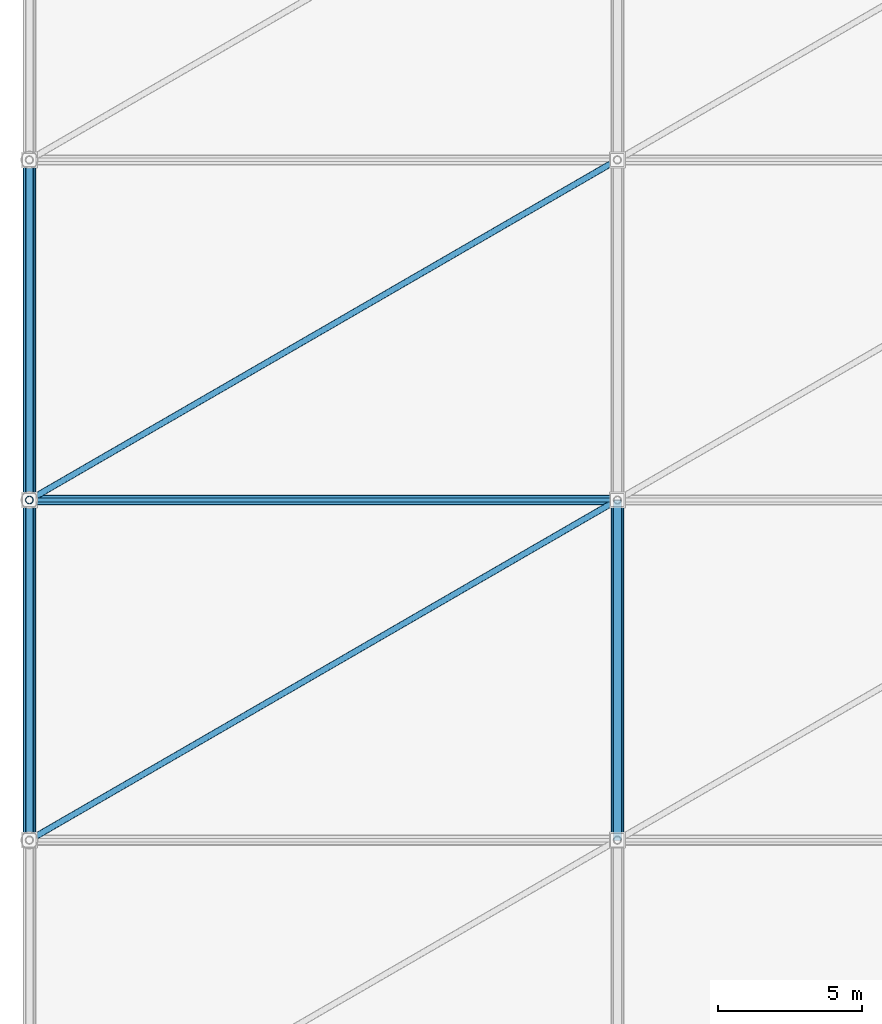
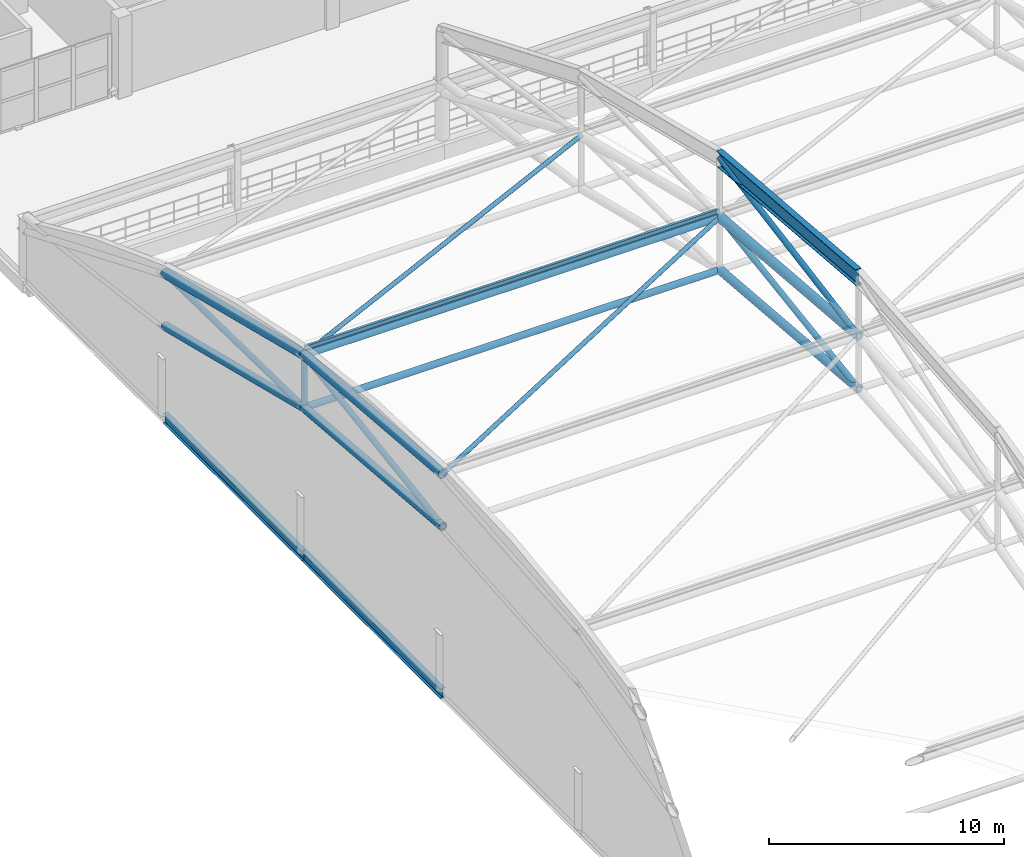
# One storey, part 25 of 135: 16 members, 3 beams.
"""IFC4 building model written with IfcOpenShell, lengths in metres."""

from ifc_helpers import new_model, si_unit, direction, frame, origin, origin_2d, place, context, subcontext, project, spatial, hollow_circle, i_section, extrude, material, material_profile, profile_set, type_object, element, save


model = new_model("IFC4")

# Units and contexts
model_context = context("Model", 3, precision=1e-05, world=origin(), true_north=direction((0.0, 1.0)))
body_context = subcontext(model_context, "Body", "Model", "MODEL_VIEW")
ifc_project = project(units=[si_unit("LENGTHUNIT", "METRE"), si_unit("AREAUNIT", "SQUARE_METRE"), si_unit("VOLUMEUNIT", "CUBIC_METRE"), si_unit("PLANEANGLEUNIT", "RADIAN"), si_unit("MASSUNIT", "GRAM", prefix="KILO")], contexts=[model_context])

# Site, building, storey
site_placement = place(None, origin())
site = spatial("IfcSite", under=ifc_project, at=site_placement, CompositionType="ELEMENT")
building_placement = place(site_placement, origin())
building = spatial("IfcBuilding", under=site, at=building_placement, Name="Brelvane Convention Centre", CompositionType="ELEMENT")
storey_placement = place(building_placement, frame((0.0, 0.0, 15.0)))
storey = spatial("IfcBuildingStorey", under=building, at=storey_placement, Name="L03", CompositionType="ELEMENT", Elevation=15.0)

# Beam
ifc_material_1 = material(Name="Steel E450 (450 MPa)", Category="steel")
ifc_material_profile_1 = material_profile(ifc_material_1, i_section(OverallWidth=0.300048828125, OverallDepth=0.800048828125, WebThickness=0.015380859375, FlangeThickness=0.030029296875, FilletRadius=0.027099609375, at=origin_2d()), Name="NPB 800x300")
ifc_profile_set_1 = profile_set([ifc_material_profile_1], Name="Steel E450 (450 MPa)")
beam_type_1 = type_object("IfcBeamType", Name="Steel Beam B-ST2 (NPB 800x300)", PredefinedType="BEAM", material=ifc_profile_set_1)
beam_placement = place(storey_placement, frame((20.39990234375, 64.199951171875, 14.199951171875), z_axis=(0.0, 0.996584470208, -0.082579620615), x_axis=(-1.0, 0.0, 0.0)))
element("IfcBeam", 1, at=beam_placement, inside=storey, type_object=beam_type_1, Name="EXO_EXH Exoskeletal Arch Girder 2.4", PredefinedType="BEAM", context=body_context, shape_type="SweptSolid", body=[
    extrude(i_section(OverallWidth=0.300048828125, OverallDepth=0.800048828125, WebThickness=0.015380859375, FlangeThickness=0.030029296875, FilletRadius=0.027099609375, at=origin_2d()), origin(), (0.0, 0.0, 1.0), 11.840576171875),
])

# Members
ifc_material_2 = material(Name="Steel E350 (350 MPa)", Category="steel")
ifc_material_profile_2 = material_profile(ifc_material_2, hollow_circle(Radius=0.136474609375, WallThickness=0.012451171875, at=origin_2d()), Name="CHS 273.0x12.5")
ifc_profile_set_2 = profile_set([ifc_material_profile_2], Name="Steel E350 (350 MPa)")
member_type_1 = type_object("IfcMemberType", Name="Steel Brace SF-DG1 (CHS 273.0x12.5)", PredefinedType="BRACE", material=ifc_profile_set_2)
member_1_placement = place(storey_placement, frame((0.0, 64.199951171875, 8.39990234375), z_axis=(0.0, 0.989032056502, 0.147701019672), x_axis=(-1.0, 0.0, 0.0)))
element("IfcMember", 2, at=member_1_placement, inside=storey, type_object=member_type_1, Name="SF_EXH Space-Frame Web Diagonal D1.4", PredefinedType="BRACE", context=body_context, shape_type="SweptSolid", body=[
    extrude(hollow_circle(Radius=0.136474609375, WallThickness=0.012451171875, at=origin_2d()), origin(), (0.0, 0.0, 1.0), 11.930908203125),
])
member_2_placement = place(storey_placement, frame((0.0, 76.0, 7.422119140625), z_axis=(0.0, 0.99986610997, -0.016363438913), x_axis=(-1.0, 0.0, 0.0)))
element("IfcMember", 3, at=member_2_placement, inside=storey, type_object=member_type_1, Name="SF_EXH Space-Frame Web Diagonal D1.5", PredefinedType="BRACE", context=body_context, shape_type="SweptSolid", body=[
    extrude(hollow_circle(Radius=0.136474609375, WallThickness=0.012451171875, at=origin_2d()), origin(), (0.0, 0.0, 1.0), 11.801513671875),
])
member_3_placement = place(storey_placement, frame((20.39990234375, 64.199951171875, 8.39990234375), z_axis=(0.0, 0.989032056502, 0.147701019672), x_axis=(-1.0, 0.0, 0.0)))
element("IfcMember", 4, at=member_3_placement, inside=storey, type_object=member_type_1, Name="SF_EXH Space-Frame Web Diagonal D2.4", PredefinedType="BRACE", context=body_context, shape_type="SweptSolid", body=[
    extrude(hollow_circle(Radius=0.136474609375, WallThickness=0.012451171875, at=origin_2d()), origin(), (0.0, 0.0, 1.0), 11.930908203125),
])
member_4_placement = place(storey_placement, frame((20.39990234375, 64.199951171875, 11.139892578125), z_axis=(0.0, 0.984784789498, 0.173778359912), x_axis=(-1.0, 0.0, 0.0)))
element("IfcMember", 5, at=member_4_placement, inside=storey, type_object=member_type_1, Name="EXO_EXH Exoskeletal Arch Web 2.4", PredefinedType="BRACE", context=body_context, shape_type="SweptSolid", body=[
    extrude(hollow_circle(Radius=0.136474609375, WallThickness=0.012451171875, at=origin_2d()), origin(), (0.0, 0.0, 1.0), 11.982421875),
])
ifc_material_3 = material(Name="Steel E350 (350 MPa)", Category="steel")
ifc_material_profile_3 = material_profile(ifc_material_3, hollow_circle(Radius=0.109619140625, WallThickness=0.010009765625, at=origin_2d()), Name="CHS 219.1x10.0")
ifc_profile_set_3 = profile_set([ifc_material_profile_3], Name="Steel E350 (350 MPa)")
member_type_2 = type_object("IfcMemberType", Name="Steel Brace SF-DG2 (CHS 219.1x10.0)", PredefinedType="BRACE", material=ifc_profile_set_3)
member_5_placement = place(storey_placement, frame((0.0, 64.199951171875, 11.139892578125), z_axis=(0.864873882245, 0.500274651745, -0.041454078585), x_axis=(-0.500705052683, 0.865617958581, 0.0)))
element("IfcMember", 6, at=member_5_placement, inside=storey, type_object=member_type_2, Name="SF_EXH Roof Diaphragm Brace PB1.4", PredefinedType="BRACE", context=body_context, shape_type="SweptSolid", body=[
    extrude(hollow_circle(Radius=0.109619140625, WallThickness=0.010009765625, at=origin_2d()), origin(), (0.0, 0.0, 1.0), 23.587158203125),
])
member_6_placement = place(storey_placement, frame((0.0, 76.0, 10.162109375), z_axis=(0.85899063749, 0.496871568034, -0.123505990076), x_axis=(-0.500705052683, 0.865617958581, 0.0)))
element("IfcMember", 7, at=member_6_placement, inside=storey, type_object=member_type_2, Name="SF_EXH Roof Diaphragm Brace PB1.5", PredefinedType="BRACE", context=body_context, shape_type="SweptSolid", body=[
    extrude(hollow_circle(Radius=0.109619140625, WallThickness=0.010009765625, at=origin_2d()), origin(), (0.0, 0.0, 1.0), 23.748779296875),
])
ifc_material_4 = material(Name="Steel E450 (450 MPa)", Category="steel")
ifc_material_profile_4 = material_profile(ifc_material_4, hollow_circle(Radius=0.203125, WallThickness=0.01611328125, at=origin_2d()), Name="CHS 406.4x16.0")
ifc_profile_set_4 = profile_set([ifc_material_profile_4], Name="Steel E450 (450 MPa)")
member_type_3 = type_object("IfcMemberType", Name="Steel Chord SF-BC1 (CHS 406.4x16.0)", PredefinedType="CHORD", material=ifc_profile_set_4)
member_7_placement = place(storey_placement, frame((0.0, 64.199951171875, 8.39990234375), z_axis=(0.0, 0.996584470208, -0.082579620615), x_axis=(-1.0, 0.0, 0.0)))
element("IfcMember", 8, at=member_7_placement, inside=storey, type_object=member_type_3, Name="SF_EXH Space-Frame Bottom Chord B1.4", PredefinedType="CHORD", context=body_context, shape_type="SweptSolid", body=[
    extrude(hollow_circle(Radius=0.203125, WallThickness=0.01611328125, at=origin_2d()), origin(), (0.0, 0.0, 1.0), 11.840576171875),
])
member_8_placement = place(storey_placement, frame((0.0, 76.0, 7.422119140625), z_axis=(0.0, 0.970468783866, -0.241226738861), x_axis=(-1.0, 0.0, 0.0)))
element("IfcMember", 9, at=member_8_placement, inside=storey, type_object=member_type_3, Name="SF_EXH Space-Frame Bottom Chord B1.5", PredefinedType="CHORD", context=body_context, shape_type="SweptSolid", body=[
    extrude(hollow_circle(Radius=0.203125, WallThickness=0.01611328125, at=origin_2d()), origin(), (0.0, 0.0, 1.0), 12.1591796875),
])
member_9_placement = place(storey_placement, frame((20.39990234375, 64.199951171875, 8.39990234375), z_axis=(0.0, 0.996584470208, -0.082579620615), x_axis=(-1.0, 0.0, 0.0)))
element("IfcMember", 10, at=member_9_placement, inside=storey, type_object=member_type_3, Name="SF_EXH Space-Frame Bottom Chord B2.4", PredefinedType="CHORD", context=body_context, shape_type="SweptSolid", body=[
    extrude(hollow_circle(Radius=0.203125, WallThickness=0.01611328125, at=origin_2d()), origin(), (0.0, 0.0, 1.0), 11.840576171875),
])
ifc_material_5 = material(Name="Steel E350 (350 MPa)", Category="steel")
ifc_material_profile_5 = material_profile(ifc_material_5, hollow_circle(Radius=0.161865234375, WallThickness=0.012451171875, at=origin_2d()), Name="CHS 323.9x12.5")
ifc_profile_set_5 = profile_set([ifc_material_profile_5], Name="Steel E350 (350 MPa)")
member_type_4 = type_object("IfcMemberType", Name="Steel Chord SF-BC2 (CHS 323.9x12.5)", PredefinedType="CHORD", material=ifc_profile_set_5)
member_10_placement = place(storey_placement, frame((0.0, 76.0, 7.422119140625), z_axis=(1.0, 0.0, 0.0), x_axis=(0.0, 1.0, 0.0)))
element("IfcMember", 11, at=member_10_placement, inside=storey, type_object=member_type_4, Name="SF_EXH Longitudinal Bottom Chord LB1.5", PredefinedType="CHORD", context=body_context, shape_type="SweptSolid", body=[
    extrude(hollow_circle(Radius=0.161865234375, WallThickness=0.012451171875, at=origin_2d()), origin(), (0.0, 0.0, 1.0), 20.39990234375),
])
ifc_material_6 = material(Name="Steel E450 (450 MPa)", Category="steel")
ifc_material_profile_6 = material_profile(ifc_material_6, hollow_circle(Radius=0.228515625, WallThickness=0.02001953125, at=origin_2d()), Name="CHS 457.0x20.0")
ifc_profile_set_6 = profile_set([ifc_material_profile_6], Name="Steel E450 (450 MPa)")
member_type_5 = type_object("IfcMemberType", Name="Steel Chord SF-TC1 (CHS 457.0x20.0)", PredefinedType="CHORD", material=ifc_profile_set_6)
member_11_placement = place(storey_placement, frame((0.0, 64.199951171875, 11.139892578125), z_axis=(0.0, 0.996584470208, -0.082579620615), x_axis=(-1.0, 0.0, 0.0)))
element("IfcMember", 12, at=member_11_placement, inside=storey, type_object=member_type_5, Name="SF_EXH Space-Frame Top Chord T1.4", PredefinedType="CHORD", context=body_context, shape_type="SweptSolid", body=[
    extrude(hollow_circle(Radius=0.228515625, WallThickness=0.02001953125, at=origin_2d()), origin(), (0.0, 0.0, 1.0), 11.840576171875),
])
member_12_placement = place(storey_placement, frame((0.0, 76.0, 10.162109375), z_axis=(0.0, 0.970468783866, -0.241226738861), x_axis=(-1.0, 0.0, 0.0)))
element("IfcMember", 13, at=member_12_placement, inside=storey, type_object=member_type_5, Name="SF_EXH Space-Frame Top Chord T1.5", PredefinedType="CHORD", context=body_context, shape_type="SweptSolid", body=[
    extrude(hollow_circle(Radius=0.228515625, WallThickness=0.02001953125, at=origin_2d()), origin(), (0.0, 0.0, 1.0), 12.1591796875),
])
member_13_placement = place(storey_placement, frame((20.39990234375, 64.199951171875, 11.139892578125), z_axis=(0.0, 0.996584470208, -0.082579620615), x_axis=(-1.0, 0.0, 0.0)))
element("IfcMember", 14, at=member_13_placement, inside=storey, type_object=member_type_5, Name="SF_EXH Space-Frame Top Chord T2.4", PredefinedType="CHORD", context=body_context, shape_type="SweptSolid", body=[
    extrude(hollow_circle(Radius=0.228515625, WallThickness=0.02001953125, at=origin_2d()), origin(), (0.0, 0.0, 1.0), 11.840576171875),
])
ifc_material_7 = material(Name="Steel E450 (450 MPa)", Category="steel")
ifc_material_profile_7 = material_profile(ifc_material_7, hollow_circle(Radius=0.177734375, WallThickness=0.01611328125, at=origin_2d()), Name="CHS 355.6x16.0")
ifc_profile_set_7 = profile_set([ifc_material_profile_7], Name="Steel E450 (450 MPa)")
member_type_6 = type_object("IfcMemberType", Name="Steel Chord SF-TC2 (CHS 355.6x16.0)", PredefinedType="CHORD", material=ifc_profile_set_7)
member_14_placement = place(storey_placement, frame((0.0, 76.0, 10.162109375), z_axis=(1.0, 0.0, 0.0), x_axis=(0.0, 1.0, 0.0)))
element("IfcMember", 15, at=member_14_placement, inside=storey, type_object=member_type_6, Name="SF_EXH Longitudinal Top Chord LT1.5", PredefinedType="CHORD", context=body_context, shape_type="SweptSolid", body=[
    extrude(hollow_circle(Radius=0.177734375, WallThickness=0.01611328125, at=origin_2d()), origin(), (0.0, 0.0, 1.0), 20.39990234375),
])
ifc_material_8 = material(Name="Steel E350 (350 MPa)", Category="steel")
ifc_material_profile_8 = material_profile(ifc_material_8, i_section(OverallWidth=0.125, OverallDepth=0.25, WebThickness=0.0068359375, FlangeThickness=0.012451171875, FilletRadius=0.012939453125, at=origin_2d()), Name="ISMB 250")
ifc_profile_set_8 = profile_set([ifc_material_profile_8], Name="Steel E350 (350 MPa)")
member_type_7 = type_object("IfcMemberType", Name="Steel Purlin PR-ST1 (ISMB 250)", PredefinedType="PURLIN", material=ifc_profile_set_8)
member_15_placement = place(storey_placement, frame((0.0, 76.0, 10.497314453125), z_axis=(1.0, 0.0, 0.0), x_axis=(0.0, 1.0, 0.0)))
element("IfcMember", 16, at=member_15_placement, inside=storey, type_object=member_type_7, Name="SF_EXH Roof Purlin P1.5", PredefinedType="PURLIN", context=body_context, shape_type="SweptSolid", body=[
    extrude(i_section(OverallWidth=0.125, OverallDepth=0.25, WebThickness=0.0068359375, FlangeThickness=0.012451171875, FilletRadius=0.012939453125, at=origin_2d()), origin(), (0.0, 0.0, 1.0), 20.39990234375),
])

# Beams
ifc_material_9 = material(Name="Steel E350 (350 MPa)", Category="steel")
ifc_material_profile_9 = material_profile(ifc_material_9, i_section(OverallWidth=0.25, OverallDepth=0.5, WebThickness=0.010009765625, FlangeThickness=0.0146484375, FilletRadius=0.01611328125, at=origin_2d()), Name="ISWB 500")
ifc_profile_set_9 = profile_set([ifc_material_profile_9], Name="Steel E350 (350 MPa)")
beam_type_2 = type_object("IfcBeamType", Name="Steel Spandrel SP-ST1 (ISWB 500)", PredefinedType="SPANDREL", material=ifc_profile_set_9)
for number, where, z_axis, x_axis, name in (
    (17, (0.0, 64.199951171875, -0.25), (0.0, 1.0, 0.0), (-1.0, 0.0, 0.0), "West Hull Wall Girt L03-4"),
    (18, (0.0, 76.0, -0.25), (0.0, 1.0, 0.0), (-1.0, 0.0, 0.0), "West Hull Wall Girt L03-5"),
):
    element("IfcBeam", number, at=place(storey_placement, frame(where, z_axis=z_axis, x_axis=x_axis)), inside=storey, type_object=beam_type_2, Name=name, PredefinedType="SPANDREL", context=body_context, shape_type="SweptSolid", body=[
        extrude(i_section(OverallWidth=0.25, OverallDepth=0.5, WebThickness=0.010009765625, FlangeThickness=0.0146484375, FilletRadius=0.01611328125, at=origin_2d()), origin(), (0.0, 0.0, 1.0), 11.800048828125),
    ])

# Member
ifc_material_10 = material(Name="Steel E350 (350 MPa)", Category="steel")
ifc_material_profile_10 = material_profile(ifc_material_10, hollow_circle(Radius=0.136474609375, WallThickness=0.012451171875, at=origin_2d()), Name="CHS 273.0x12.5")
ifc_profile_set_10 = profile_set([ifc_material_profile_10], Name="Steel E350 (350 MPa)")
member_type_8 = type_object("IfcMemberType", Name="Steel Strut SF-VT1 (CHS 273.0x12.5)", PredefinedType="STRUT", material=ifc_profile_set_10)
member_16_placement = place(storey_placement, frame((0.0, 76.0, 7.422119140625), z_axis=(0.0, 0.0, 1.0), x_axis=(1.0, 0.0, 0.0)))
element("IfcMember", 19, at=member_16_placement, inside=storey, type_object=member_type_8, Name="SF_EXH Space-Frame Post V1.4", PredefinedType="STRUT", context=body_context, shape_type="SweptSolid", body=[
    extrude(hollow_circle(Radius=0.136474609375, WallThickness=0.012451171875, at=origin_2d()), origin(), (0.0, 0.0, 1.0), 2.739990234375),
])

save(model, "model.ifc")
